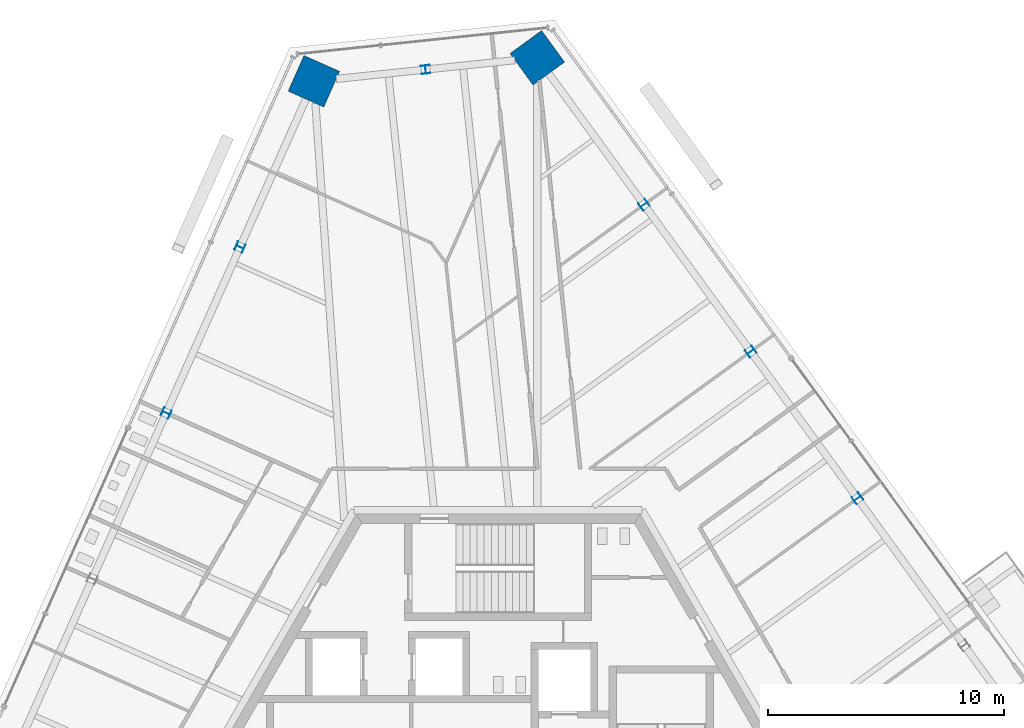
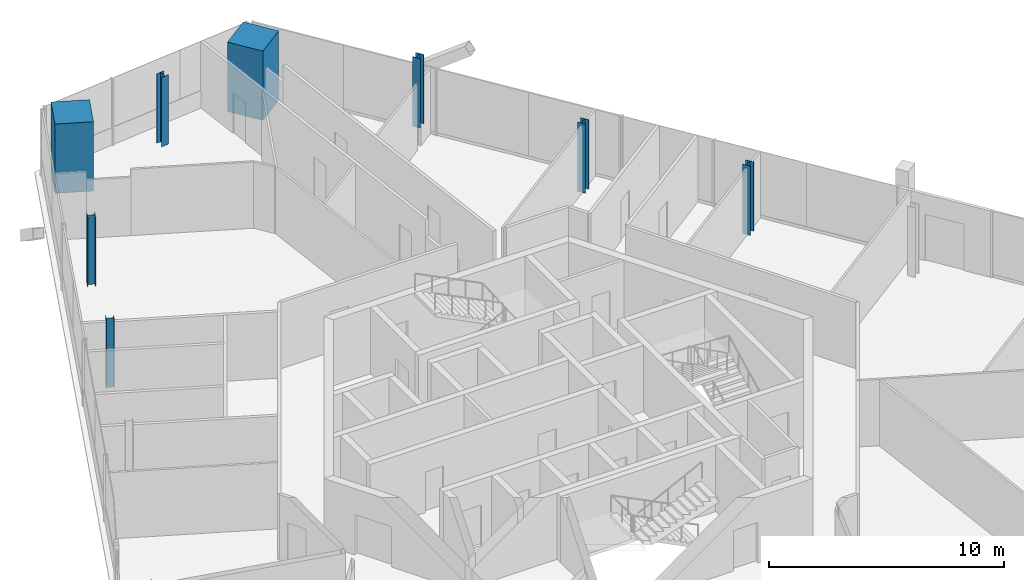
# One storey, part 3 of 19: 8 columns.
"""IFC4 building model written with IfcOpenShell, lengths in metres."""

from ifc_helpers import new_model, si_unit, direction, frame, origin, origin_2d, place, context, subcontext, project, spatial, rectangle, i_section, extrude, source, transform, mapped, material, material_profile, profile_set, type_object, element, save


model = new_model("IFC4")

# Units and contexts
model_context = context("Model", 3, precision=1e-05, world=origin(), true_north=direction((0.0, 1.0)))
body_context = subcontext(model_context, "Body", "Model", "MODEL_VIEW")
ifc_project = project(units=[si_unit("LENGTHUNIT", "METRE"), si_unit("AREAUNIT", "SQUARE_METRE"), si_unit("VOLUMEUNIT", "CUBIC_METRE"), si_unit("PLANEANGLEUNIT", "RADIAN"), si_unit("MASSUNIT", "GRAM", prefix="KILO")], contexts=[model_context])

# Site, building, storey
site_placement = place(None, origin())
site = spatial("IfcSite", under=ifc_project, at=site_placement, CompositionType="ELEMENT")
building_placement = place(site_placement, origin())
building = spatial("IfcBuilding", under=site, at=building_placement, Name="Triune Harvest Tower", CompositionType="ELEMENT")
storey_placement = place(building_placement, frame((0.0, 0.0, 223.300048828125)))
storey = spatial("IfcBuildingStorey", under=building, at=storey_placement, Name="L58", CompositionType="ELEMENT", Elevation=223.300048828125)

# Columns
ifc_material_1 = material(Name="Concrete 70 MPa", Category="concrete")
ifc_material_profile_1 = material_profile(ifc_material_1, rectangle(XDim=1.64990234375, YDim=1.64990234375, at=origin_2d()), Name="Composite 1650x1650")
ifc_profile_set_1 = profile_set([ifc_material_profile_1], Name="Concrete 70 MPa")
column_type_1 = type_object("IfcColumnType", Name="MC-6 Mega column Composite 1650x1650", PredefinedType="COLUMN", material=ifc_profile_set_1)
shared_shape_1 = source(origin(), body_context, "Body", "SweptSolid", [
    extrude(rectangle(XDim=1.64990234375, YDim=1.64990234375, at=origin_2d()), origin(), (0.0, 0.0, 1.0), 3.599853515625),
])
for number, where, z_axis, x_axis, name in (
    (1, (1.658203125, 29.681640625, 0.0), (0.0, 0.0, 1.0), (-0.587785252292, 0.809016994375, 0.0), "col/L58/M6"),
    (2, (-7.793212890625, 28.688232421875, 0.0), (0.0, 0.0, 1.0), (-0.406738237513, -0.913544747752, 0.0), "col/L58/M8"),
):
    element("IfcColumn", number, at=place(storey_placement, frame(where, z_axis=z_axis, x_axis=x_axis)), inside=storey, type_object=column_type_1, Name=name, PredefinedType="COLUMN", context=body_context, shape_type="MappedRepresentation", body=[
        mapped(shared_shape_1, transform((0.0, 0.0, 0.0), scale=1.0)),
    ])
ifc_material_2 = material(Name="Steel ASTM A992 Gr 50", Category="steel")
ifc_material_profile_2 = material_profile(ifc_material_2, i_section(OverallWidth=0.368408203125, OverallDepth=0.355712890625, WebThickness=0.01123046875, FlangeThickness=0.01806640625, at=origin_2d()), Name="W14x90")
ifc_profile_set_2 = profile_set([ifc_material_profile_2], Name="Steel ASTM A992 Gr 50")
column_type_2 = type_object("IfcColumnType", Name="PC-6 Perimeter column W14x90", PredefinedType="COLUMN", material=ifc_profile_set_2)
shared_shape_2 = source(origin(), body_context, "Body", "SweptSolid", [
    extrude(i_section(OverallWidth=0.368408203125, OverallDepth=0.355712890625, WebThickness=0.01123046875, FlangeThickness=0.01806640625, at=origin_2d()), origin(), (0.0, 0.0, 1.0), 3.599853515625),
])
for number, where, z_axis, x_axis, name in (
    (3, (15.19970703125, 11.043212890625, 0.0), (0.0, 0.0, 1.0), (-0.587785252292, 0.809016994375, 0.0), "col/L58/P3"),
    (4, (10.685791015625, 17.256103515625, 0.0), (0.0, 0.0, 1.0), (-0.587785252292, 0.809016994375, 0.0), "col/L58/P4"),
    (5, (-3.0673828125, 29.18505859375, 0.0), (0.0, 0.0, 1.0), (-0.994521895368, -0.104528463268, 0.0), "col/L58/P7"),
    (6, (-10.91650390625, 21.6728515625, 0.0), (0.0, 0.0, 1.0), (-0.406738237513, -0.913544747752, 0.0), "col/L58/P9"),
    (7, (-14.0400390625, 14.6572265625, 0.0), (0.0, 0.0, 1.0), (-0.406738237513, -0.913544747752, 0.0), "col/L58/P10"),
):
    element("IfcColumn", number, at=place(storey_placement, frame(where, z_axis=z_axis, x_axis=x_axis)), inside=storey, type_object=column_type_2, Name=name, PredefinedType="COLUMN", context=body_context, shape_type="MappedRepresentation", body=[
        mapped(shared_shape_2, transform((0.0, 0.0, 0.0), scale=1.0)),
    ])
shared_shape_3 = source(origin(), body_context, "Body", "SweptSolid", [
    extrude(i_section(OverallWidth=0.368408203125, OverallDepth=0.355712890625, WebThickness=0.01123046875, FlangeThickness=0.01806640625, at=origin_2d()), origin(), (0.0, 0.0, 1.0), 3.60009765625),
])
column_placement = place(storey_placement, frame((6.172119140625, 23.468994140625, 1.199951171875), z_axis=(0.0, 0.0, 1.0), x_axis=(-0.587785252292, 0.809016994375, 0.0)))
element("IfcColumn", 8, at=column_placement, inside=storey, type_object=column_type_2, Name="col/L58/P5", PredefinedType="COLUMN", context=body_context, shape_type="MappedRepresentation", body=[
    mapped(shared_shape_3, transform((0.0, 0.0, 0.0), scale=1.0)),
])

save(model, "model.ifc")
